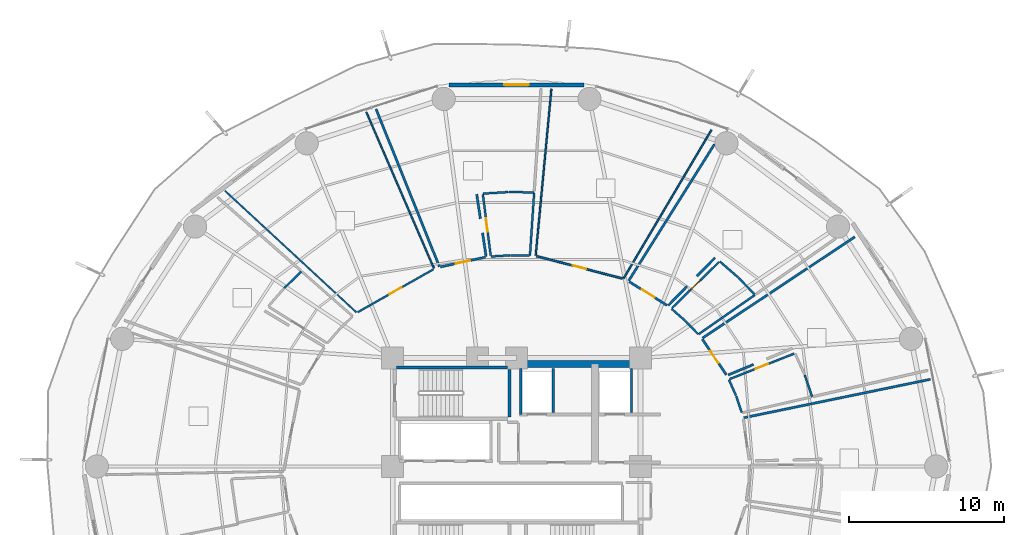
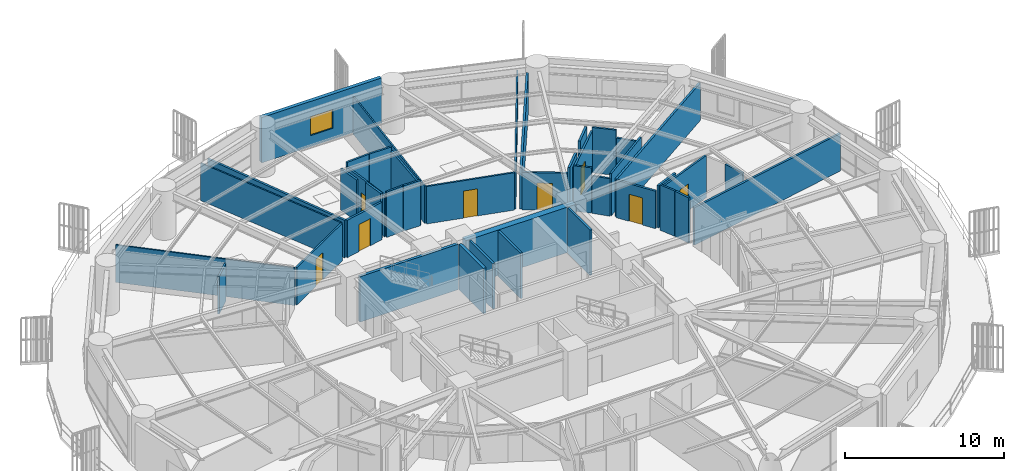
# One storey, part 27 of 34: 42 walls, 8 doors, 1 window, 9 openings.
"""IFC4 building model written with IfcOpenShell, lengths in metres."""

from ifc_helpers import new_model, si_unit, direction, frame, frame_2d, origin, place, context, subcontext, project, spatial, rectangle, extrude, material, layer, layer_set, type_object, element, fill, save


model = new_model("IFC4")

# Units and contexts
model_context = context("Model", 3, precision=1e-05, world=origin(), true_north=direction((0.0, 1.0)))
body_context = subcontext(model_context, "Body", "Model", "MODEL_VIEW")
ifc_project = project(units=[si_unit("LENGTHUNIT", "METRE"), si_unit("AREAUNIT", "SQUARE_METRE"), si_unit("VOLUMEUNIT", "CUBIC_METRE"), si_unit("PLANEANGLEUNIT", "RADIAN"), si_unit("MASSUNIT", "GRAM", prefix="KILO")], contexts=[model_context])

# Site, building, storey
site_placement = place(None, origin())
site = spatial("IfcSite", under=ifc_project, at=site_placement, CompositionType="ELEMENT")
building_placement = place(site_placement, origin())
building = spatial("IfcBuilding", under=site, at=building_placement, Name="Kelanora Arch Commons", CompositionType="ELEMENT")
storey_placement = place(building_placement, frame((0.0, 0.0, 33.75)))
storey = spatial("IfcBuildingStorey", under=building, at=storey_placement, Name="L08", CompositionType="ELEMENT", Elevation=33.75)

# Walls
ifc_material_1 = material(Name="Autoclaved aerated concrete blockwork with fire plaster", Category="masonry")
ifc_layer_1 = layer(ifc_material_1, 0.14990234375)
ifc_layer_set_1 = layer_set([ifc_layer_1], Name="Autoclaved aerated concrete blockwork with fire plaster")
wall_type_1 = type_object("IfcWallType", Name="W-COMP-150", PredefinedType="PARTITIONING", material=ifc_layer_set_1)
wall_1_placement = place(storey_placement, frame((74.280029296875, 61.35009765625, 0.0), z_axis=(0.0, 0.0, 1.0), x_axis=(0.0, 1.0, 0.0)))
element("IfcWall", 1, at=wall_1_placement, inside=storey, type_object=wall_type_1, Name="Firefighting Lift 1 West Shaft Wall L08", PredefinedType="PARTITIONING", context=body_context, shape_type="SweptSolid", body=[
    extrude(rectangle(XDim=2.969970703125, YDim=0.14990234375, at=frame_2d((1.48486328125, 0.0))), origin(), (0.0, 0.0, 1.0), 3.47998046875),
])
for number, where, z_axis, x_axis, name in (
    (2, (76.360107421875, 61.47998046875, 0.0), (0.0, 0.0, 1.0), (0.0, 1.0, 0.0), "Firefighting Lift 1 East Shaft Wall L08"),
    (3, (81.419921875, 61.47998046875, 0.0), (0.0, 0.0, 1.0), (0.0, 1.0, 0.0), "Firefighting Lift 2 East Shaft Wall L08"),
):
    element("IfcWall", number, at=place(storey_placement, frame(where, z_axis=z_axis, x_axis=x_axis)), inside=storey, type_object=wall_type_1, Name=name, PredefinedType="PARTITIONING", context=body_context, shape_type="SweptSolid", body=[
        extrude(rectangle(XDim=2.840087890625, YDim=0.14990234375, at=frame_2d((1.419921875, 0.0))), origin(), (0.0, 0.0, 1.0), 3.47998046875),
    ])

# Wall, opening, door
wall_2_placement = place(storey_placement, frame((87.533447265625, 63.916748046875, 0.0), z_axis=(0.0, 0.0, 1.0), x_axis=(-0.558444152287, 0.829542119953, 0.0)))
wall_2 = element("IfcWall", 4, at=wall_2_placement, inside=storey, type_object=wall_type_1, Name="Co-Living Studio L08-01 Entry Partition", PredefinedType="PARTITIONING", context=body_context, shape_type="SweptSolid", body=[
    extrude(rectangle(XDim=2.7646484375, YDim=0.14990234375, at=frame_2d((1.38232421875, 0.0))), origin(), (0.0, 0.0, 1.0), 2.875),
])
opening_1_placement = place(wall_2_placement, frame((0.906982421875, 0.0, 0.0)))
opening_1 = element("IfcOpeningElement", 5, at=opening_1_placement, cuts=wall_2, Name="Opening D-CLU1", PredefinedType="OPENING", context=body_context, shape_type="SweptSolid", body=[
    extrude(rectangle(XDim=0.949951171875, YDim=2.080078125, at=frame_2d((0.47509765625, 1.0400390625))), frame((0.0, 0.0849609375, 0.0), z_axis=(0.0, -1.0, 0.0), x_axis=(1.0, 0.0, 0.0)), (0.0, 0.0, 1.0), 0.169921875),
])
ifc_material_2 = material(Name="Solid-core acoustic timber cluster entry fire door", Category="wood")
door_type_1 = type_object("IfcDoorType", Name="D-CLU-95", OperationType="NOTDEFINED", PredefinedType="DOOR", material=ifc_material_2)
door_1_placement = place(opening_1_placement, origin())
door_1 = element("IfcDoor", 6, at=door_1_placement, inside=storey, type_object=door_type_1, Name="Co-Living Studio L08-01 Door", OperationType="SINGLE_SWING_LEFT", OverallHeight=2.080078125, OverallWidth=0.949951171875, PredefinedType="DOOR", context=body_context, shape_type="SweptSolid", body=[
    extrude(rectangle(XDim=0.949951171875, YDim=2.080078125, at=frame_2d((0.47509765625, 1.0400390625))), frame((0.0, 0.02490234375, 0.0), z_axis=(0.0, -1.0, 0.0), x_axis=(1.0, 0.0, 0.0)), (0.0, 0.0, 1.0), 0.050048828125),
])
fill(opening_1, door_1)

wall_3_placement = place(storey_placement, frame((83.711181640625, 68.394775390625, 0.0), z_axis=(0.0, 0.0, 1.0), x_axis=(-0.847522016495, 0.530760239238, 0.0)))
wall_3 = element("IfcWall", 7, at=wall_3_placement, inside=storey, type_object=wall_type_1, Name="Co-Living Studio L08-02 Entry Partition", PredefinedType="PARTITIONING", context=body_context, shape_type="SweptSolid", body=[
    extrude(rectangle(XDim=2.8818359375, YDim=0.14990234375, at=frame_2d((1.44091796875, 0.0))), origin(), (0.0, 0.0, 1.0), 2.875),
])
opening_2_placement = place(wall_3_placement, frame((0.966064453125, 0.0, 0.0)))
opening_2 = element("IfcOpeningElement", 8, at=opening_2_placement, cuts=wall_3, Name="Opening D-CLU1", PredefinedType="OPENING", context=body_context, shape_type="SweptSolid", body=[
    extrude(rectangle(XDim=0.949951171875, YDim=2.080078125, at=frame_2d((0.47509765625, 1.0400390625))), frame((0.0, 0.0849609375, 0.0), z_axis=(0.0, -1.0, 0.0), x_axis=(1.0, 0.0, 0.0)), (0.0, 0.0, 1.0), 0.169921875),
])
door_2_placement = place(opening_2_placement, origin())
door_2 = element("IfcDoor", 9, at=door_2_placement, inside=storey, type_object=door_type_1, Name="Co-Living Studio L08-02 Door", OperationType="SINGLE_SWING_LEFT", OverallHeight=2.080078125, OverallWidth=0.949951171875, PredefinedType="DOOR", context=body_context, shape_type="SweptSolid", body=[
    extrude(rectangle(XDim=0.949951171875, YDim=2.080078125, at=frame_2d((0.47509765625, 1.0400390625))), frame((0.0, 0.02490234375, 0.0), z_axis=(0.0, -1.0, 0.0), x_axis=(1.0, 0.0, 0.0)), (0.0, 0.0, 1.0), 0.050048828125),
])
fill(opening_2, door_2)

wall_4_placement = place(storey_placement, frame((71.9814453125, 71.501220703125, 0.0), z_axis=(0.0, 0.0, 1.0), x_axis=(-0.977451938751, -0.211158015313, 0.0)))
wall_4 = element("IfcWall", 10, at=wall_4_placement, inside=storey, type_object=wall_type_1, Name="Co-Living Studio L08-04 Entry Partition", PredefinedType="PARTITIONING", context=body_context, shape_type="SweptSolid", body=[
    extrude(rectangle(XDim=2.95751953125, YDim=0.14990234375, at=frame_2d((1.478759765625, 0.0))), origin(), (0.0, 0.0, 1.0), 2.875),
])
opening_3_placement = place(wall_4_placement, frame((1.00390625, 0.0, 0.0)))
opening_3 = element("IfcOpeningElement", 11, at=opening_3_placement, cuts=wall_4, Name="Opening D-CLU1", PredefinedType="OPENING", context=body_context, shape_type="SweptSolid", body=[
    extrude(rectangle(XDim=0.949951171875, YDim=2.080078125, at=frame_2d((0.47509765625, 1.0400390625))), frame((0.0, 0.0849609375, 0.0), z_axis=(0.0, -1.0, 0.0), x_axis=(1.0, 0.0, 0.0)), (0.0, 0.0, 1.0), 0.169921875),
])
door_3_placement = place(opening_3_placement, origin())
door_3 = element("IfcDoor", 12, at=door_3_placement, inside=storey, type_object=door_type_1, Name="Co-Living Studio L08-04 Door", OperationType="SINGLE_SWING_RIGHT", OverallHeight=2.080078125, OverallWidth=0.949951171875, PredefinedType="DOOR", context=body_context, shape_type="SweptSolid", body=[
    extrude(rectangle(XDim=0.949951171875, YDim=2.080078125, at=frame_2d((0.47509765625, 1.0400390625))), frame((0.0, 0.02490234375, 0.0), z_axis=(0.0, -1.0, 0.0), x_axis=(1.0, 0.0, 0.0)), (0.0, 0.0, 1.0), 0.050048828125),
])
fill(opening_3, door_3)

# Walls
wall_5_placement = place(storey_placement, frame((85.9892578125, 66.281982421875, 0.0), z_axis=(0.0, 0.0, 1.0), x_axis=(0.833114362659, 0.553100767248, 0.0)))
element("IfcWall", 13, at=wall_5_placement, inside=storey, type_object=wall_type_1, Name="Co-Living Studio L08-01 Enclosure Partition 2", PredefinedType="PARTITIONING", context=body_context, shape_type="SweptSolid", body=[
    extrude(rectangle(XDim=11.80810546875, YDim=0.14990234375, at=frame_2d((5.904052734375, 0.0))), origin(), (0.0, 0.0, 1.0), 2.875),
])
wall_6_placement = place(storey_placement, frame((89.28857421875, 64.582275390625, 0.0), z_axis=(0.0, 0.0, 1.0), x_axis=(-0.923444705598, -0.383731515129, 0.0)))
element("IfcWall", 14, at=wall_6_placement, inside=storey, type_object=wall_type_1, Name="Co-Living Studio L08-01 Enclosure Partition 7", PredefinedType="PARTITIONING", context=body_context, shape_type="SweptSolid", body=[
    extrude(rectangle(XDim=1.765625, YDim=0.14990234375, at=frame_2d((0.8828125, 0.0))), origin(), (0.0, 0.0, 1.0), 3.235107421875),
])
wall_7_placement = place(storey_placement, frame((81.2392578125, 69.989990234375, 0.0), z_axis=(0.0, 0.0, 1.0), x_axis=(0.531976191107, 0.846759311785, 0.0)))
element("IfcWall", 15, at=wall_7_placement, inside=storey, type_object=wall_type_1, Name="Co-Living Studio L08-02 Enclosure Partition 2", PredefinedType="PARTITIONING", context=body_context, shape_type="SweptSolid", body=[
    extrude(rectangle(XDim=10.39208984375, YDim=0.14990234375, at=frame_2d((5.196044921875, 0.0))), origin(), (0.0, 0.0, 1.0), 3.175048828125),
])
wall_8_placement = place(storey_placement, frame((86.806884765625, 71.469482421875, 0.0), z_axis=(0.0, 0.0, 1.0), x_axis=(-0.699982262545, -0.714160228606, 0.0)))
element("IfcWall", 16, at=wall_8_placement, inside=storey, type_object=wall_type_1, Name="Co-Living Studio L08-02 Enclosure Partition 7", PredefinedType="PARTITIONING", context=body_context, shape_type="SweptSolid", body=[
    extrude(rectangle(XDim=1.67041015625, YDim=0.14990234375, at=frame_2d((0.835205078125, 0.0))), origin(), (0.0, 0.0, 1.0), 3.47998046875),
])
wall_9_placement = place(storey_placement, frame((84.993408203125, 69.619384765625, 0.0), z_axis=(0.0, 0.0, 1.0), x_axis=(-0.69997059614, -0.714171663215, 0.0)))
element("IfcWall", 17, at=wall_9_placement, inside=storey, type_object=wall_type_1, Name="Co-Living Studio L08-02 Enclosure Partition 7", PredefinedType="PARTITIONING", context=body_context, shape_type="SweptSolid", body=[
    extrude(rectangle(XDim=1.71923828125, YDim=0.14990234375, at=frame_2d((0.859619140625, 0.0))), origin(), (0.0, 0.0, 1.0), 3.235107421875),
])
wall_10_placement = place(storey_placement, frame((69.01708984375, 70.901123046875, 0.0), z_axis=(0.0, 0.0, 1.0), x_axis=(-0.372877076454, 0.927880749803, 0.0)))
element("IfcWall", 18, at=wall_10_placement, inside=storey, type_object=wall_type_1, Name="Co-Living Studio L08-04 Enclosure Partition 2", PredefinedType="PARTITIONING", context=body_context, shape_type="SweptSolid", body=[
    extrude(rectangle(XDim=10.955810546875, YDim=0.14990234375, at=frame_2d((5.47802734375, 0.0))), origin(), (0.0, 0.0, 1.0), 2.875),
])
wall_11_placement = place(storey_placement, frame((71.428955078125, 75.561279296875, 0.0), z_axis=(0.0, 0.0, 1.0), x_axis=(0.149314908759, -0.988789693526, 0.0)))
element("IfcWall", 19, at=wall_11_placement, inside=storey, type_object=wall_type_1, Name="Co-Living Studio L08-04 Enclosure Partition 7", PredefinedType="PARTITIONING", context=body_context, shape_type="SweptSolid", body=[
    extrude(rectangle(XDim=1.592529296875, YDim=0.14990234375, at=frame_2d((0.79638671875, 0.0))), origin(), (0.0, 0.0, 1.0), 3.175048828125),
])
wall_12_placement = place(storey_placement, frame((71.80419921875, 73.07666015625, 0.0), z_axis=(0.0, 0.0, 1.0), x_axis=(0.149162041114, -0.988812765639, 0.0)))
element("IfcWall", 20, at=wall_12_placement, inside=storey, type_object=wall_type_1, Name="Co-Living Studio L08-04 Enclosure Partition 7", PredefinedType="PARTITIONING", context=body_context, shape_type="SweptSolid", body=[
    extrude(rectangle(XDim=1.540283203125, YDim=0.14990234375, at=frame_2d((0.77001953125, 0.0))), origin(), (0.0, 0.0, 1.0), 3.47998046875),
])
wall_13_placement = place(storey_placement, frame((88.666259765625, 61.14404296875, 0.0), z_axis=(0.0, 0.0, 1.0), x_axis=(0.979434419697, 0.201762775339, 0.0)))
element("IfcWall", 21, at=wall_13_placement, inside=storey, type_object=wall_type_1, Name="Co-Living Studio L08-15 Enclosure Partition 2", PredefinedType="PARTITIONING", context=body_context, shape_type="SweptSolid", body=[
    extrude(rectangle(XDim=12.290283203125, YDim=0.14990234375, at=frame_2d((6.14501953125, 0.0))), origin(), (0.0, 0.0, 1.0), 2.875),
])
ifc_material_3 = material(Name="Concrete C60/75", Category="concrete")
ifc_layer_2 = layer(ifc_material_3, 0.449951171875)
ifc_layer_set_2 = layer_set([ifc_layer_2], Name="Concrete C60/75")
wall_type_2 = type_object("IfcWallType", Name="W-CORE-450", PredefinedType="SHEAR", material=ifc_layer_set_2)
wall_14_placement = place(storey_placement, frame((74.0, 64.60009765625, 0.0), z_axis=(0.0, 0.0, 1.0), x_axis=(1.0, 0.0, 0.0)))
element("IfcWall", 22, at=wall_14_placement, inside=storey, type_object=wall_type_2, Name="Core Shear Spine L08-CN-E", PredefinedType="SHEAR", context=body_context, shape_type="SweptSolid", body=[
    extrude(rectangle(XDim=8.0, YDim=0.449951171875, at=frame_2d((4.0, 0.0))), origin(), (0.0, 0.0, 1.0), 3.489990234375),
])

# Wall, opening, window
ifc_material_4 = material(Name="Precast concrete C40/50 with terracotta rainscreen", Category="masonry")
ifc_layer_3 = layer(ifc_material_4, 0.260009765625)
ifc_layer_set_3 = layer_set([ifc_layer_3], Name="Precast concrete C40/50 with terracotta rainscreen")
wall_type_3 = type_object("IfcWallType", Name="W-EXT-TC", PredefinedType="SOLIDWALL", material=ifc_layer_set_3)
wall_15_placement = place(storey_placement, frame((78.35595703125, 82.6201171875, 0.0), z_axis=(0.0, 0.0, 1.0), x_axis=(-1.0, 0.0, 0.0)))
wall_15 = element("IfcWall", 23, at=wall_15_placement, inside=storey, type_object=wall_type_3, Name="Terracotta Exterior Wall L08-B04", PredefinedType="SOLIDWALL", context=body_context, shape_type="SweptSolid", body=[
    extrude(rectangle(XDim=8.7119140625, YDim=0.260009765625, at=frame_2d((4.35595703125, 0.0))), origin(), (0.0, 0.0, 1.0), 3.47509765625),
])
opening_4_placement = place(wall_15_placement, frame((3.555908203125, 0.0, 0.85009765625)))
opening_4 = element("IfcOpeningElement", 24, at=opening_4_placement, cuts=wall_15, Name="Opening WN-01", PredefinedType="OPENING", context=body_context, shape_type="SweptSolid", body=[
    extrude(rectangle(XDim=1.60009765625, YDim=1.449951171875, at=frame_2d((0.800048828125, 0.72509765625))), frame((0.0, 0.14013671875, 0.0), z_axis=(0.0, -1.0, 0.0), x_axis=(1.0, 0.0, 0.0)), (0.0, 0.0, 1.0), 0.280029296875),
])
ifc_material_5 = material(Name="Terracotta-anodised aluminium frame with operable low-E glazing", Category="masonry")
window_type = type_object("IfcWindowType", Name="WIN-CL-18", PartitioningType="DOUBLE_PANEL_VERTICAL", PredefinedType="WINDOW", material=ifc_material_5)
window_placement = place(opening_4_placement, origin())
window = element("IfcWindow", 25, at=window_placement, inside=storey, type_object=window_type, Name="Co-Living Operable Window L08-B04", OverallHeight=1.449951171875, OverallWidth=1.60009765625, PartitioningType="SINGLE_PANEL", PredefinedType="WINDOW", context=body_context, shape_type="SweptSolid", body=[
    extrude(rectangle(XDim=1.60009765625, YDim=1.449951171875, at=frame_2d((0.800048828125, 0.72509765625))), frame((0.0, 0.030029296875, 0.0), z_axis=(0.0, -1.0, 0.0), x_axis=(1.0, 0.0, 0.0)), (0.0, 0.0, 1.0), 0.06005859375),
])
fill(opening_4, window)

# Walls
ifc_material_6 = material(Name="Lightweight fire-rated acoustic stud partition")
ifc_layer_4 = layer(ifc_material_6, 0.10009765625)
ifc_layer_set_4 = layer_set([ifc_layer_4], Name="Lightweight fire-rated acoustic stud partition")
wall_type_4 = type_object("IfcWallType", Name="W-PART-100", PredefinedType="PARTITIONING", material=ifc_layer_set_4)
wall_16_placement = place(storey_placement, frame((75.23583984375, 71.623779296875, 0.0), z_axis=(0.0, 0.0, 1.0), x_axis=(0.093901844858, 0.995581460018, 0.0)))
element("IfcWall", 26, at=wall_16_placement, inside=storey, type_object=wall_type_4, Name="Communal Dining and Social Hall L08-03 Enclosure Partition 2", PredefinedType="PARTITIONING", context=body_context, shape_type="SweptSolid", body=[
    extrude(rectangle(XDim=10.781982421875, YDim=0.10009765625, at=frame_2d((5.39111328125, 0.0))), origin(), (0.0, 0.0, 1.0), 2.875),
])
wall_17_placement = place(storey_placement, frame((86.58349609375, 79.718505859375, 0.0), z_axis=(0.0, 0.0, 1.0), x_axis=(-0.509594840762, -0.860414492131, 0.0)))
element("IfcWall", 27, at=wall_17_placement, inside=storey, type_object=wall_type_4, Name="Communal Dining and Social Hall L08-03 Enclosure Partition 4", PredefinedType="PARTITIONING", context=body_context, shape_type="SweptSolid", body=[
    extrude(rectangle(XDim=11.125, YDim=0.10009765625, at=frame_2d((5.5625, 0.0))), origin(), (0.0, 0.0, 1.0), 2.875),
])
wall_18_placement = place(storey_placement, frame((63.66259765625, 67.947265625, 0.0), z_axis=(0.0, 0.0, 1.0), x_axis=(-0.734175040947, 0.678960241288, 0.0)))
element("IfcWall", 28, at=wall_18_placement, inside=storey, type_object=wall_type_4, Name="Social Sky Lounge L08-05 Enclosure Partition 2", PredefinedType="PARTITIONING", context=body_context, shape_type="SweptSolid", body=[
    extrude(rectangle(XDim=11.54931640625, YDim=0.10009765625, at=frame_2d((5.774658203125, 0.0))), origin(), (0.0, 0.0, 1.0), 2.875),
])
wall_19_placement = place(storey_placement, frame((64.302978515625, 80.86328125, 0.0), z_axis=(0.0, 0.0, 1.0), x_axis=(0.397730954589, -0.917502091421, 0.0)))
element("IfcWall", 29, at=wall_19_placement, inside=storey, type_object=wall_type_4, Name="Social Sky Lounge L08-05 Enclosure Partition 4", PredefinedType="PARTITIONING", context=body_context, shape_type="SweptSolid", body=[
    extrude(rectangle(XDim=10.982666015625, YDim=0.10009765625, at=frame_2d((5.4912109375, 0.0))), origin(), (0.0, 0.0, 1.0), 2.875),
])

# Wall, opening, door
ifc_material_7 = material(Name="Acoustic twin-stud fire-rated gypsum partition")
ifc_layer_5 = layer(ifc_material_7, 0.1201171875)
ifc_layer_set_5 = layer_set([ifc_layer_5], Name="Acoustic twin-stud fire-rated gypsum partition")
wall_type_5 = type_object("IfcWallType", Name="W-PART-120", PredefinedType="PARTITIONING", material=ifc_layer_set_5)
wall_20_placement = place(storey_placement, frame((80.8359375, 70.127197265625, 0.0), z_axis=(0.0, 0.0, 1.0), x_axis=(-0.967834541954, 0.251587558119, 0.0)))
wall_20 = element("IfcWall", 30, at=wall_20_placement, inside=storey, type_object=wall_type_5, Name="Communal Dining and Social Hall L08-03 Entry Partition", PredefinedType="PARTITIONING", context=body_context, shape_type="SweptSolid", body=[
    extrude(rectangle(XDim=5.730224609375, YDim=0.1201171875, at=frame_2d((2.865234375, 0.0))), origin(), (0.0, 0.0, 1.0), 2.875),
])
opening_5_placement = place(wall_20_placement, frame((2.4150390625, 0.0, 0.0)))
opening_5 = element("IfcOpeningElement", 31, at=opening_5_placement, cuts=wall_20, Name="Opening D-RM1", PredefinedType="OPENING", context=body_context, shape_type="SweptSolid", body=[
    extrude(rectangle(XDim=0.89990234375, YDim=2.080078125, at=frame_2d((0.449951171875, 1.0400390625))), frame((0.0, 0.070068359375, 0.0), z_axis=(0.0, -1.0, 0.0), x_axis=(1.0, 0.0, 0.0)), (0.0, 0.0, 1.0), 0.14013671875),
])
ifc_material_8 = material(Name="Acoustic fire-rated timber study and lounge door", Category="wood")
door_type_2 = type_object("IfcDoorType", Name="D-ROOM-90", OperationType="NOTDEFINED", PredefinedType="DOOR", material=ifc_material_8)
door_4_placement = place(opening_5_placement, origin())
door_4 = element("IfcDoor", 32, at=door_4_placement, inside=storey, type_object=door_type_2, Name="Communal Dining and Social Hall L08-03 Door", OperationType="SINGLE_SWING_RIGHT", OverallHeight=2.080078125, OverallWidth=0.89990234375, PredefinedType="DOOR", context=body_context, shape_type="SweptSolid", body=[
    extrude(rectangle(XDim=0.89990234375, YDim=2.080078125, at=frame_2d((0.449951171875, 1.0400390625))), frame((0.0, 0.02490234375, 0.0), z_axis=(0.0, -1.0, 0.0), x_axis=(1.0, 0.0, 0.0)), (0.0, 0.0, 1.0), 0.050048828125),
])
fill(opening_5, door_4)

wall_21_placement = place(storey_placement, frame((68.634765625, 70.720458984375, 0.0), z_axis=(0.0, 0.0, 1.0), x_axis=(-0.870068136537, -0.49293147372, 0.0)))
wall_21 = element("IfcWall", 33, at=wall_21_placement, inside=storey, type_object=wall_type_5, Name="Social Sky Lounge L08-05 Entry Partition", PredefinedType="PARTITIONING", context=body_context, shape_type="SweptSolid", body=[
    extrude(rectangle(XDim=5.620849609375, YDim=0.1201171875, at=frame_2d((2.810546875, 0.0))), origin(), (0.0, 0.0, 1.0), 2.875),
])
opening_6_placement = place(wall_21_placement, frame((2.360107421875, 0.0, 0.0)))
opening_6 = element("IfcOpeningElement", 34, at=opening_6_placement, cuts=wall_21, Name="Opening D-RM1", PredefinedType="OPENING", context=body_context, shape_type="SweptSolid", body=[
    extrude(rectangle(XDim=0.89990234375, YDim=2.080078125, at=frame_2d((0.449951171875, 1.0400390625))), frame((0.0, 0.070068359375, 0.0), z_axis=(0.0, -1.0, 0.0), x_axis=(1.0, 0.0, 0.0)), (0.0, 0.0, 1.0), 0.14013671875),
])
door_5_placement = place(opening_6_placement, origin())
door_5 = element("IfcDoor", 35, at=door_5_placement, inside=storey, type_object=door_type_2, Name="Social Sky Lounge L08-05 Door", OperationType="SINGLE_SWING_LEFT", OverallHeight=2.080078125, OverallWidth=0.89990234375, PredefinedType="DOOR", context=body_context, shape_type="SweptSolid", body=[
    extrude(rectangle(XDim=0.89990234375, YDim=2.080078125, at=frame_2d((0.449951171875, 1.0400390625))), frame((0.0, 0.02490234375, 0.0), z_axis=(0.0, -1.0, 0.0), x_axis=(1.0, 0.0, 0.0)), (0.0, 0.0, 1.0), 0.050048828125),
])
fill(opening_6, door_5)

# Walls
ifc_material_9 = material(Name="Concrete C40/50", Category="concrete")
ifc_layer_6 = layer(ifc_material_9, 0.199951171875)
ifc_layer_set_6 = layer_set([ifc_layer_6], Name="Concrete C40/50")
wall_type_6 = type_object("IfcWallType", Name="W-STAIR-200", PredefinedType="SHEAR", material=ifc_layer_set_6)
wall_22_placement = place(storey_placement, frame((73.5400390625, 61.199951171875, 0.0), z_axis=(0.0, 0.0, 1.0), x_axis=(0.0, 1.0, 0.0)))
element("IfcWall", 36, at=wall_22_placement, inside=storey, type_object=wall_type_6, Name="Stair ST-T1 Shaft Wall E L08", PredefinedType="SHEAR", context=body_context, shape_type="SweptSolid", body=[
    extrude(rectangle(XDim=3.070068359375, YDim=0.199951171875, at=frame_2d((1.53515625, 0.0))), origin(), (0.0, 0.0, 1.0), 3.489990234375),
])
wall_23_placement = place(storey_placement, frame((73.419921875, 64.389892578125, 0.0), z_axis=(0.0, 0.0, 1.0), x_axis=(-1.0, 0.0, 0.0)))
element("IfcWall", 37, at=wall_23_placement, inside=storey, type_object=wall_type_6, Name="Stair ST-T1 Shaft Wall N L08", PredefinedType="SHEAR", context=body_context, shape_type="SweptSolid", body=[
    extrude(rectangle(XDim=7.159912109375, YDim=0.199951171875, at=frame_2d((3.580078125, 0.0))), origin(), (0.0, 0.0, 1.0), 3.489990234375),
])

# Wall, opening, door
ifc_material_10 = material(Name="Moisture-resistant fire-rated cement-board plumbing wall")
ifc_layer_7 = layer(ifc_material_10, 0.1298828125)
ifc_layer_set_7 = layer_set([ifc_layer_7], Name="Moisture-resistant fire-rated cement-board plumbing wall")
wall_type_7 = type_object("IfcWallType", Name="W-WET-120", PredefinedType="PLUMBINGWALL", material=ifc_layer_set_7)
wall_24_placement = place(storey_placement, frame((87.749755859375, 63.639892578125, 0.0), z_axis=(0.0, 0.0, 1.0), x_axis=(0.930376245435, 0.366606112783, 0.0)))
wall_24 = element("IfcWall", 38, at=wall_24_placement, inside=storey, type_object=wall_type_7, Name="En-Suite Shower WC L08-01 Entry Partition", PredefinedType="PLUMBINGWALL", context=body_context, shape_type="SweptSolid", body=[
    extrude(rectangle(XDim=4.473876953125, YDim=0.1298828125, at=frame_2d((2.23681640625, 0.0))), origin(), (0.0, 0.0, 1.0), 3.235107421875),
])
opening_7_placement = place(wall_24_placement, frame((1.806884765625, 0.0, 0.0)))
opening_7 = element("IfcOpeningElement", 39, at=opening_7_placement, cuts=wall_24, Name="Opening D-BT1", PredefinedType="OPENING", context=body_context, shape_type="SweptSolid", body=[
    extrude(rectangle(XDim=0.860107421875, YDim=2.050048828125, at=frame_2d((0.43017578125, 1.02490234375))), frame((0.0, 0.074951171875, 0.0), z_axis=(0.0, -1.0, 0.0), x_axis=(1.0, 0.0, 0.0)), (0.0, 0.0, 1.0), 0.14990234375),
])
ifc_material_11 = material(Name="Moisture-sealed fire-rated accessible bathroom door")
door_type_3 = type_object("IfcDoorType", Name="D-BATH-85", OperationType="NOTDEFINED", PredefinedType="DOOR", material=ifc_material_11)
door_6_placement = place(opening_7_placement, origin())
door_6 = element("IfcDoor", 40, at=door_6_placement, inside=storey, type_object=door_type_3, Name="En-Suite Shower WC L08-01 Door", OperationType="SINGLE_SWING_RIGHT", OverallHeight=2.050048828125, OverallWidth=0.860107421875, PredefinedType="DOOR", context=body_context, shape_type="SweptSolid", body=[
    extrude(rectangle(XDim=0.860107421875, YDim=2.050048828125, at=frame_2d((0.43017578125, 1.02490234375))), frame((0.0, 0.02490234375, 0.0), z_axis=(0.0, -1.0, 0.0), x_axis=(1.0, 0.0, 0.0)), (0.0, 0.0, 1.0), 0.050048828125),
])
fill(opening_7, door_6)

wall_25_placement = place(storey_placement, frame((84.032958984375, 68.22607421875, 0.0), z_axis=(0.0, 0.0, 1.0), x_axis=(0.714891568972, 0.699235328493, 0.0)))
wall_25 = element("IfcWall", 41, at=wall_25_placement, inside=storey, type_object=wall_type_7, Name="En-Suite Shower WC L08-02 Entry Partition", PredefinedType="PLUMBINGWALL", context=body_context, shape_type="SweptSolid", body=[
    extrude(rectangle(XDim=4.241455078125, YDim=0.1298828125, at=frame_2d((2.12060546875, 0.0))), origin(), (0.0, 0.0, 1.0), 3.235107421875),
])
opening_8_placement = place(wall_25_placement, frame((1.69091796875, 0.0, 0.0)))
opening_8 = element("IfcOpeningElement", 42, at=opening_8_placement, cuts=wall_25, Name="Opening D-BT1", PredefinedType="OPENING", context=body_context, shape_type="SweptSolid", body=[
    extrude(rectangle(XDim=0.860107421875, YDim=2.050048828125, at=frame_2d((0.43017578125, 1.02490234375))), frame((0.0, 0.074951171875, 0.0), z_axis=(0.0, -1.0, 0.0), x_axis=(1.0, 0.0, 0.0)), (0.0, 0.0, 1.0), 0.14990234375),
])
door_7_placement = place(opening_8_placement, origin())
door_7 = element("IfcDoor", 43, at=door_7_placement, inside=storey, type_object=door_type_3, Name="En-Suite Shower WC L08-02 Door", OperationType="SINGLE_SWING_RIGHT", OverallHeight=2.050048828125, OverallWidth=0.860107421875, PredefinedType="DOOR", context=body_context, shape_type="SweptSolid", body=[
    extrude(rectangle(XDim=0.860107421875, YDim=2.050048828125, at=frame_2d((0.43017578125, 1.02490234375))), frame((0.0, 0.02490234375, 0.0), z_axis=(0.0, -1.0, 0.0), x_axis=(1.0, 0.0, 0.0)), (0.0, 0.0, 1.0), 0.050048828125),
])
fill(opening_8, door_7)

wall_26_placement = place(storey_placement, frame((72.331298828125, 71.6064453125, 0.0), z_axis=(0.0, 0.0, 1.0), x_axis=(-0.126591984802, 0.991954872655, 0.0)))
wall_26 = element("IfcWall", 44, at=wall_26_placement, inside=storey, type_object=wall_type_7, Name="En-Suite Shower WC L08-04 Entry Partition", PredefinedType="PLUMBINGWALL", context=body_context, shape_type="SweptSolid", body=[
    extrude(rectangle(XDim=3.970947265625, YDim=0.1298828125, at=frame_2d((1.9853515625, 0.0))), origin(), (0.0, 0.0, 1.0), 3.175048828125),
])
opening_9_placement = place(wall_26_placement, frame((1.554931640625, 0.0, 0.0)))
opening_9 = element("IfcOpeningElement", 45, at=opening_9_placement, cuts=wall_26, Name="Opening D-BT1", PredefinedType="OPENING", context=body_context, shape_type="SweptSolid", body=[
    extrude(rectangle(XDim=0.860107421875, YDim=2.050048828125, at=frame_2d((0.43017578125, 1.02490234375))), frame((0.0, 0.074951171875, 0.0), z_axis=(0.0, -1.0, 0.0), x_axis=(1.0, 0.0, 0.0)), (0.0, 0.0, 1.0), 0.14990234375),
])
door_8_placement = place(opening_9_placement, origin())
door_8 = element("IfcDoor", 46, at=door_8_placement, inside=storey, type_object=door_type_3, Name="En-Suite Shower WC L08-04 Door", OperationType="SINGLE_SWING_LEFT", OverallHeight=2.050048828125, OverallWidth=0.860107421875, PredefinedType="DOOR", context=body_context, shape_type="SweptSolid", body=[
    extrude(rectangle(XDim=0.860107421875, YDim=2.050048828125, at=frame_2d((0.43017578125, 1.02490234375))), frame((0.0, 0.02490234375, 0.0), z_axis=(0.0, -1.0, 0.0), x_axis=(1.0, 0.0, 0.0)), (0.0, 0.0, 1.0), 0.050048828125),
])
fill(opening_9, door_8)

# Walls
wall_27_placement = place(storey_placement, frame((88.531494140625, 61.477783203125, 0.0), z_axis=(0.0, 0.0, 1.0), x_axis=(-0.321334824054, 0.946965643965, 0.0)))
element("IfcWall", 47, at=wall_27_placement, inside=storey, type_object=wall_type_7, Name="En-Suite Shower WC L08-01 Enclosure Partition 1", PredefinedType="PLUMBINGWALL", context=body_context, shape_type="SweptSolid", body=[
    extrude(rectangle(XDim=1.11767578125, YDim=0.1298828125, at=frame_2d((0.558837890625, 0.0))), origin(), (0.0, 0.0, 1.0), 3.47998046875),
])
wall_28_placement = place(storey_placement, frame((88.157958984375, 62.5732421875, 0.0), z_axis=(0.0, 0.0, 1.0), x_axis=(-0.405876230773, 0.913928052581, 0.0)))
element("IfcWall", 48, at=wall_28_placement, inside=storey, type_object=wall_type_7, Name="En-Suite Shower WC L08-01 Enclosure Partition 2", PredefinedType="PLUMBINGWALL", context=body_context, shape_type="SweptSolid", body=[
    extrude(rectangle(XDim=1.123046875, YDim=0.1298828125, at=frame_2d((0.5615234375, 0.0))), origin(), (0.0, 0.0, 1.0), 3.47998046875),
])
wall_29_placement = place(storey_placement, frame((92.593505859375, 63.900146484375, 0.0), z_axis=(0.0, 0.0, 1.0), x_axis=(0.324213576546, -0.945983909368, 0.0)))
element("IfcWall", 49, at=wall_29_placement, inside=storey, type_object=wall_type_7, Name="En-Suite Shower WC L08-01 Enclosure Partition 5", PredefinedType="PLUMBINGWALL", context=body_context, shape_type="SweptSolid", body=[
    extrude(rectangle(XDim=1.46533203125, YDim=0.1298828125, at=frame_2d((0.732666015625, 0.0))), origin(), (0.0, 0.0, 1.0), 3.175048828125),
])
wall_30_placement = place(storey_placement, frame((85.716064453125, 66.536376953125, 0.0), z_axis=(0.0, 0.0, 1.0), x_axis=(-0.693609314424, 0.720351385745, 0.0)))
element("IfcWall", 50, at=wall_30_placement, inside=storey, type_object=wall_type_7, Name="En-Suite Shower WC L08-02 Enclosure Partition 1", PredefinedType="PLUMBINGWALL", context=body_context, shape_type="SweptSolid", body=[
    extrude(rectangle(XDim=1.159423828125, YDim=0.1298828125, at=frame_2d((0.57958984375, 0.0))), origin(), (0.0, 0.0, 1.0), 2.875),
])
wall_31_placement = place(storey_placement, frame((84.883056640625, 67.399169921875, 0.0), z_axis=(0.0, 0.0, 1.0), x_axis=(-0.75116489845, 0.660114607729, 0.0)))
element("IfcWall", 51, at=wall_31_placement, inside=storey, type_object=wall_type_7, Name="En-Suite Shower WC L08-02 Enclosure Partition 2", PredefinedType="PLUMBINGWALL", context=body_context, shape_type="SweptSolid", body=[
    extrude(rectangle(XDim=1.169189453125, YDim=0.1298828125, at=frame_2d((0.58447265625, 0.0))), origin(), (0.0, 0.0, 1.0), 3.47998046875),
])
wall_32_placement = place(storey_placement, frame((87.123046875, 71.220947265625, 0.0), z_axis=(0.0, 0.0, 1.0), x_axis=(0.754783045921, -0.655974506814, 0.0)))
element("IfcWall", 52, at=wall_32_placement, inside=storey, type_object=wall_type_7, Name="En-Suite Shower WC L08-02 Enclosure Partition 4", PredefinedType="PLUMBINGWALL", context=body_context, shape_type="SweptSolid", body=[
    extrude(rectangle(XDim=1.539306640625, YDim=0.1298828125, at=frame_2d((0.76953125, 0.0))), origin(), (0.0, 0.0, 1.0), 3.47998046875),
])
wall_33_placement = place(storey_placement, frame((88.31396484375, 70.18359375, 0.0), z_axis=(0.0, 0.0, 1.0), x_axis=(0.696872710474, -0.717194830849, 0.0)))
element("IfcWall", 53, at=wall_33_placement, inside=storey, type_object=wall_type_7, Name="En-Suite Shower WC L08-02 Enclosure Partition 5", PredefinedType="PLUMBINGWALL", context=body_context, shape_type="SweptSolid", body=[
    extrude(rectangle(XDim=1.525634765625, YDim=0.1298828125, at=frame_2d((0.7626953125, 0.0))), origin(), (0.0, 0.0, 1.0), 2.875),
])
wall_34_placement = place(storey_placement, frame((89.37451171875, 69.063720703125, 0.0), z_axis=(0.0, 0.0, 1.0), x_axis=(-0.820234155097, -0.572027910869, 0.0)))
element("IfcWall", 54, at=wall_34_placement, inside=storey, type_object=wall_type_7, Name="En-Suite Shower WC L08-02 Enclosure Partition 6", PredefinedType="PLUMBINGWALL", context=body_context, shape_type="SweptSolid", body=[
    extrude(rectangle(XDim=4.42333984375, YDim=0.1298828125, at=frame_2d((2.211669921875, 0.0))), origin(), (0.0, 0.0, 1.0), 3.235107421875),
])
wall_35_placement = place(storey_placement, frame((74.844970703125, 71.607421875, 0.0), z_axis=(0.0, 0.0, 1.0), x_axis=(-0.999899717313, 0.014161755422, 0.0)))
element("IfcWall", 55, at=wall_35_placement, inside=storey, type_object=wall_type_7, Name="En-Suite Shower WC L08-04 Enclosure Partition 1", PredefinedType="PLUMBINGWALL", context=body_context, shape_type="SweptSolid", body=[
    extrude(rectangle(XDim=1.22412109375, YDim=0.1298828125, at=frame_2d((0.612060546875, 0.0))), origin(), (0.0, 0.0, 1.0), 3.47998046875),
])
wall_36_placement = place(storey_placement, frame((73.5810546875, 71.623779296875, 0.0), z_axis=(0.0, 0.0, 1.0), x_axis=(-0.998088101555, -0.061807293544, 0.0)))
element("IfcWall", 56, at=wall_36_placement, inside=storey, type_object=wall_type_7, Name="En-Suite Shower WC L08-04 Enclosure Partition 2", PredefinedType="PLUMBINGWALL", context=body_context, shape_type="SweptSolid", body=[
    extrude(rectangle(XDim=1.224609375, YDim=0.1298828125, at=frame_2d((0.6123046875, 0.0))), origin(), (0.0, 0.0, 1.0), 3.47998046875),
])
wall_37_placement = place(storey_placement, frame((71.841064453125, 75.606201171875, 0.0), z_axis=(0.0, 0.0, 1.0), x_axis=(0.99810332164, 0.061561021199, 0.0)))
element("IfcWall", 57, at=wall_37_placement, inside=storey, type_object=wall_type_7, Name="En-Suite Shower WC L08-04 Enclosure Partition 4", PredefinedType="PLUMBINGWALL", context=body_context, shape_type="SweptSolid", body=[
    extrude(rectangle(XDim=1.6181640625, YDim=0.1298828125, at=frame_2d((0.80908203125, 0.0))), origin(), (0.0, 0.0, 1.0), 3.47998046875),
])
wall_38_placement = place(storey_placement, frame((73.49609375, 75.706787109375, 0.0), z_axis=(0.0, 0.0, 1.0), x_axis=(0.999903766804, -0.013872891954, 0.0)))
element("IfcWall", 58, at=wall_38_placement, inside=storey, type_object=wall_type_7, Name="En-Suite Shower WC L08-04 Enclosure Partition 5", PredefinedType="PLUMBINGWALL", context=body_context, shape_type="SweptSolid", body=[
    extrude(rectangle(XDim=1.619140625, YDim=0.1298828125, at=frame_2d((0.8095703125, 0.0))), origin(), (0.0, 0.0, 1.0), 3.47998046875),
])
wall_39_placement = place(storey_placement, frame((75.1337890625, 75.6640625, 0.0), z_axis=(0.0, 0.0, 1.0), x_axis=(-0.066134527356, -0.997810715663, 0.0)))
element("IfcWall", 59, at=wall_39_placement, inside=storey, type_object=wall_type_7, Name="En-Suite Shower WC L08-04 Enclosure Partition 6", PredefinedType="PLUMBINGWALL", context=body_context, shape_type="SweptSolid", body=[
    extrude(rectangle(XDim=4.0458984375, YDim=0.1298828125, at=frame_2d((2.02294921875, 0.0))), origin(), (0.0, 0.0, 1.0), 3.175048828125),
])
wall_40_placement = place(storey_placement, frame((59.013427734375, 69.512939453125, 0.0), z_axis=(0.0, 0.0, 1.0), x_axis=(0.719052166998, 0.69495610015, 0.0)))
element("IfcWall", 60, at=wall_40_placement, inside=storey, type_object=wall_type_7, Name="En-Suite Shower WC L08-06 Enclosure Partition 5", PredefinedType="PLUMBINGWALL", context=body_context, shape_type="SweptSolid", body=[
    extrude(rectangle(XDim=1.530029296875, YDim=0.1298828125, at=frame_2d((0.76513671875, 0.0))), origin(), (0.0, 0.0, 1.0), 2.875),
])

save(model, "model.ifc")
